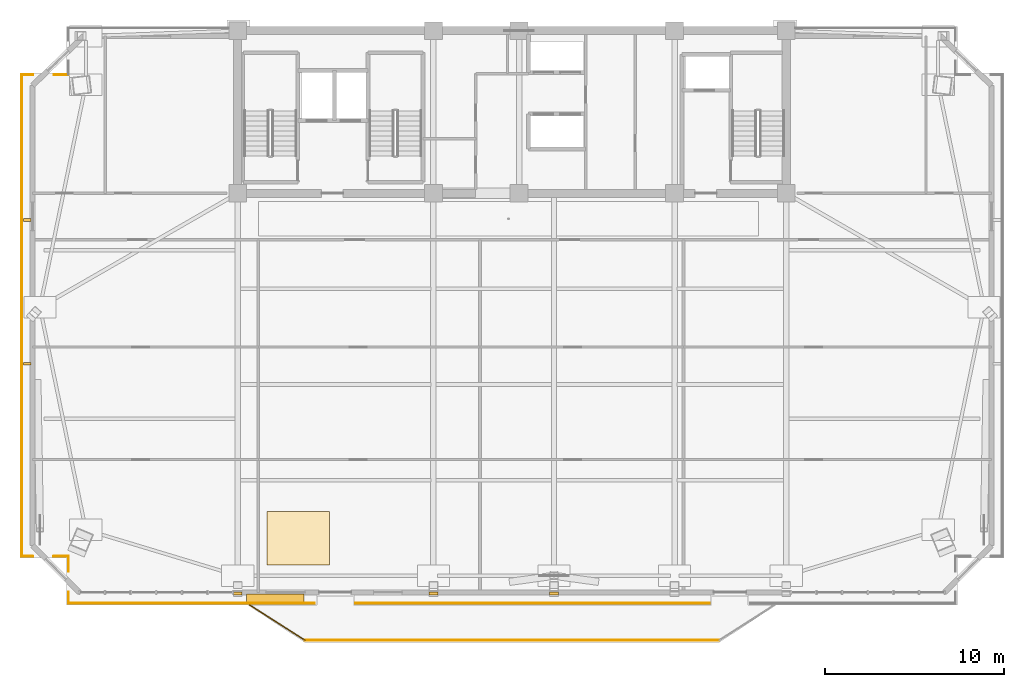
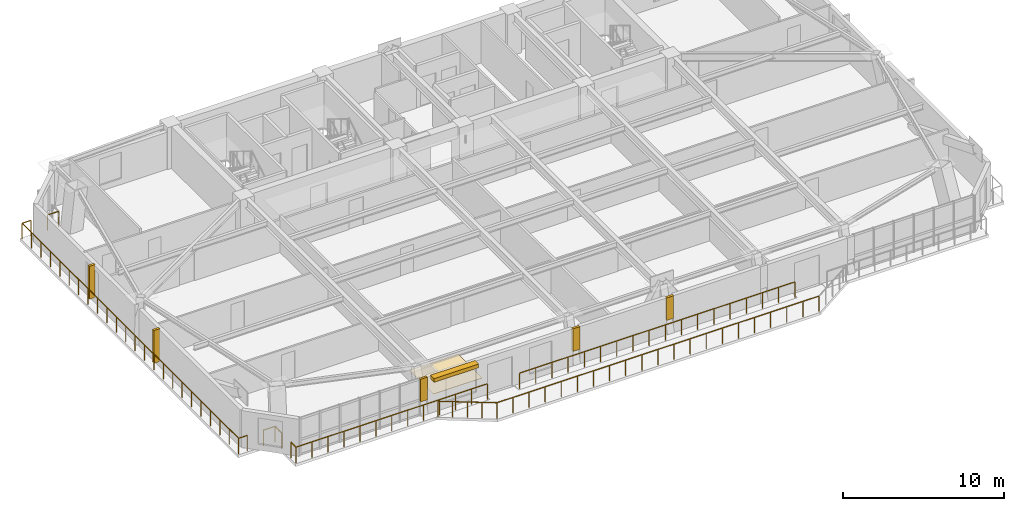
# One storey, part 13 of 16: 11 railings, 4 coverings, 3 shading devices.
"""IFC4 building model written with IfcOpenShell, lengths in metres."""

import ifcopenshell
import ifcopenshell.guid

model = None  # the IFC model being written
_history = None  # IfcOwnerHistory: only IFC2X3 demands one
_inside = {}  # id of a spatial element -> (the spatial element, [elements in it])
_under = {}  # id of a project, library or spatial element -> (it, [spatial elements below it])
_declared = {}  # id of a project -> (the project, [libraries it declares])
_typed = {}  # id of a type object -> (the type object, [elements of that type])
_made_of = {}  # id of a material, layer set ... -> (it, [elements and type objects made of it])


def new_model(schema):
    """Start an empty IFC model of exactly this schema.

    Asked for "IFC4X3", IfcOpenShell would pick the latest addendum, in which some entities
    have other attributes; the version numbers below select the first issue.
    IFC2X3 requires an IfcOwnerHistory on every rooted entity: one is made here for all.
    """
    global model, _history
    if schema == "IFC4X3":
        model = ifcopenshell.file(schema_version=(4, 3, 0, 0))
    else:
        model = ifcopenshell.file(schema=schema)
    _inside.clear()
    _under.clear()
    _declared.clear()
    _typed.clear()
    _made_of.clear()
    _history = None
    if model.schema == "IFC2X3":
        org = make("IfcOrganization", Name="unknown")
        user = make(
            "IfcPersonAndOrganization",
            ThePerson=make("IfcPerson", FamilyName="unknown"),
            TheOrganization=org,
        )
        app = make(
            "IfcApplication",
            ApplicationDeveloper=org,
            Version="unknown",
            ApplicationFullName="unknown",
            ApplicationIdentifier="unknown",
        )
        _history = make(
            "IfcOwnerHistory",
            OwningUser=user,
            OwningApplication=app,
            ChangeAction="ADDED",
            CreationDate=0,
        )
    return model


def make(cls, **values):
    """One entity of the class cls with the attributes given. An attribute that is None is left unset."""
    return model.create_entity(
        cls, **{name: value for name, value in values.items() if value is not None}
    )


def rooted(cls, **values):
    """An entity with a GlobalId (a new one), such as an element, a storey or a relation."""
    return make(cls, GlobalId=ifcopenshell.guid.new(), OwnerHistory=_history, **values)


def si_unit(unit_type, name, prefix=None):
    """IfcSIUnit, for example si_unit("LENGTHUNIT", "METRE", prefix="MILLI")."""
    return make("IfcSIUnit", UnitType=unit_type, Prefix=prefix, Name=name)


def assignment(units):
    """IfcUnitAssignment: the units of a project."""
    return None if units is None else make("IfcUnitAssignment", Units=units)


def point(xyz):
    """IfcCartesianPoint."""
    return None if xyz is None else make("IfcCartesianPoint", Coordinates=xyz)


def direction(xyz):
    """IfcDirection."""
    return None if xyz is None else make("IfcDirection", DirectionRatios=xyz)


def frame(location, z_axis=None, x_axis=None):
    """IfcAxis2Placement3D, a coordinate frame: its origin and axes. An axis left out is left unset."""
    return make(
        "IfcAxis2Placement3D",
        Location=point(location),
        Axis=direction(z_axis),
        RefDirection=direction(x_axis),
    )


def frame_2d(location, x_axis=None):
    """IfcAxis2Placement2D, a coordinate frame in the plane: its origin and x axis."""
    return make(
        "IfcAxis2Placement2D", Location=point(location), RefDirection=direction(x_axis)
    )


def origin():
    """The frame at (0, 0, 0) with its axes left unset."""
    return frame((0.0, 0.0, 0.0))


def origin_2d():
    """The frame at (0, 0) in the plane with its x axis left unset."""
    return frame_2d((0.0, 0.0))


def place(relative_to, where):
    """IfcLocalPlacement: puts the frame where relative to a parent placement (None: the world)."""
    return make(
        "IfcLocalPlacement", PlacementRelTo=relative_to, RelativePlacement=where
    )


def context(
    kind, dimensions, precision=None, world=None, true_north=None, identifier=None
):
    """IfcGeometricRepresentationContext, for example the 3D "Model" context."""
    return make(
        "IfcGeometricRepresentationContext",
        ContextIdentifier=identifier,
        ContextType=kind,
        CoordinateSpaceDimension=dimensions,
        Precision=precision,
        WorldCoordinateSystem=world,
        TrueNorth=true_north,
    )


def subcontext(parent, identifier, kind, view, scale=None):
    """IfcGeometricRepresentationSubContext, for example "Body" below "Model"."""
    return make(
        "IfcGeometricRepresentationSubContext",
        ContextIdentifier=identifier,
        ContextType=kind,
        ParentContext=parent,
        TargetScale=scale,
        TargetView=view,
    )


def project(units=None, contexts=None):
    """IfcProject with its units and contexts."""
    return rooted(
        "IfcProject",
        Name="project",
        RepresentationContexts=contexts,
        UnitsInContext=assignment(units),
    )


def spatial(cls, under=None, at=None, **own):
    """A site, building, storey or space (cls), placed at a placement, below another one or the project."""
    s = rooted(cls, ObjectPlacement=at, **own)
    if under is not None:
        _under.setdefault(under.id(), (under, []))[1].append(s)
    return s


def polyline(points):
    """IfcPolyline through the points."""
    return make("IfcPolyline", Points=[point(p) for p in points])


def profile(cls, at=None, kind="AREA", **sizes):
    """A parametric profile (cls). Its sizes go by their IFC names, for example OverallWidth=200.0."""
    return make(cls, ProfileType=kind, Position=at, **sizes)


def rectangle(**sizes):
    """IfcRectangleProfileDef."""
    return profile("IfcRectangleProfileDef", **sizes)


def outline(outer, holes=None, kind="AREA"):
    """IfcArbitraryClosedProfileDef: a profile drawn as a closed curve; with holes, ...WithVoids."""
    if holes is None:
        return make("IfcArbitraryClosedProfileDef", ProfileType=kind, OuterCurve=outer)
    return make(
        "IfcArbitraryProfileDefWithVoids",
        ProfileType=kind,
        OuterCurve=outer,
        InnerCurves=holes,
    )


def extrude(swept, where, along, depth):
    """IfcExtrudedAreaSolid: the profile swept, set in the frame where, extruded along a direction by depth."""
    return make(
        "IfcExtrudedAreaSolid",
        SweptArea=swept,
        Position=where,
        ExtrudedDirection=direction(along),
        Depth=depth,
    )


def shape(context_of_items, identifier, shape_type, items):
    """IfcShapeRepresentation: the items that make up one representation, for example the "Body"."""
    return make(
        "IfcShapeRepresentation",
        ContextOfItems=context_of_items,
        RepresentationIdentifier=identifier,
        RepresentationType=shape_type,
        Items=items,
    )


def source(mapping_origin, context_of_items, identifier, shape_type, items):
    """IfcRepresentationMap: a shape defined once, which mapped items show again and again."""
    return make(
        "IfcRepresentationMap",
        MappingOrigin=mapping_origin,
        MappedRepresentation=shape(context_of_items, identifier, shape_type, items),
    )


def transform(
    local_origin,
    x_axis=None,
    y_axis=None,
    z_axis=None,
    scale=None,
    scale2=None,
    scale3=None,
    uniform=True,
):
    """IfcCartesianTransformationOperator3D, or its non-uniform kind. x_axis, y_axis, z_axis: its Axis1, 2, 3."""
    if uniform:
        return make(
            "IfcCartesianTransformationOperator3D",
            Axis1=direction(x_axis),
            Axis2=direction(y_axis),
            LocalOrigin=point(local_origin),
            Scale=scale,
            Axis3=direction(z_axis),
        )
    return make(
        "IfcCartesianTransformationOperator3DnonUniform",
        Axis1=direction(x_axis),
        Axis2=direction(y_axis),
        LocalOrigin=point(local_origin),
        Scale=scale,
        Axis3=direction(z_axis),
        Scale2=scale2,
        Scale3=scale3,
    )


def mapped(mapping_source, mapping_target):
    """IfcMappedItem: shows the shape of a source again, moved by a transform."""
    return make(
        "IfcMappedItem", MappingSource=mapping_source, MappingTarget=mapping_target
    )


def material(Name=None, Category=None):
    """IfcMaterial."""
    return make("IfcMaterial", Name=Name, Category=Category)


def layer(
    of_material, thickness, ventilated=None, Name=None, Category=None, Priority=None
):
    """IfcMaterialLayer: one layer of a wall or slab, of a material (None: an air gap)."""
    return make(
        "IfcMaterialLayer",
        Material=of_material,
        LayerThickness=thickness,
        IsVentilated=ventilated,
        Name=Name,
        Category=Category,
        Priority=Priority,
    )


def layer_set(layers, Name=None):
    """IfcMaterialLayerSet."""
    return make("IfcMaterialLayerSet", MaterialLayers=layers, LayerSetName=Name)


def made_of(thing, what):
    """Note that an element or type object is made of a material, layer set ...; save() writes the relation."""
    if what is not None:
        _made_of.setdefault(what.id(), (what, []))[1].append(thing)
    return thing


def type_object(cls, material=None, **own):
    """A type object (cls), such as IfcWallType, which elements share."""
    return made_of(rooted(cls, **own), material)


def element(
    cls,
    number,
    at=None,
    inside=None,
    cuts=None,
    type_object=None,
    material=None,
    context=None,
    identifier="Body",
    shape_type=None,
    held_by="IfcProductDefinitionShape",
    body=None,
    shapes=None,
    **own,
):
    """One element of the class cls, such as IfcWall. Its Tag is "e" and its number.

    at: its placement. inside: the storey or other place that contains it. cuts: it is an
    opening in that element (IfcRelVoidsElement). A single representation is given by context,
    identifier, shape_type and body (its items); several are given by shapes. held_by: the class
    of the entity that holds the representations. save() writes the other relations.
    """
    e = rooted(cls, Tag="e%d" % number, ObjectPlacement=at, **own)
    if body is not None:
        shapes = [shape(context, identifier, shape_type, body)]
    if shapes is not None:
        e.Representation = make(held_by, Representations=shapes)
    if inside is not None:
        _inside.setdefault(inside.id(), (inside, []))[1].append(e)
    if cuts is not None:
        rooted(
            "IfcRelVoidsElement", RelatingBuildingElement=cuts, RelatedOpeningElement=e
        )
    if type_object is not None:
        _typed.setdefault(type_object.id(), (type_object, []))[1].append(e)
    return made_of(e, material)


def aggregate(whole, parts):
    """IfcRelAggregates: a whole, such as a stair, and the parts it consists of."""
    return rooted("IfcRelAggregates", RelatingObject=whole, RelatedObjects=parts)


def save(model, path):
    """Write the relations noted so far, then the file.

    IfcRelAggregates (storeys below a building ...), IfcRelContainedInSpatialStructure (elements
    in a storey), IfcRelDefinesByType, IfcRelAssociatesMaterial and IfcRelDeclares: one each for
    every whole, place, type object, material and project.
    """
    for whole, parts in _under.values():
        aggregate(whole, parts)
    for where, things in _inside.values():
        rooted(
            "IfcRelContainedInSpatialStructure",
            RelatedElements=things,
            RelatingStructure=where,
        )
    for kind, things in _typed.values():
        rooted("IfcRelDefinesByType", RelatedObjects=things, RelatingType=kind)
    for what, things in _made_of.values():
        rooted("IfcRelAssociatesMaterial", RelatedObjects=things, RelatingMaterial=what)
    for by, libraries in _declared.values():
        rooted("IfcRelDeclares", RelatingContext=by, RelatedDefinitions=libraries)
    model.write(path)


model = new_model("IFC4")

# Units and contexts
model_context = context("Model", 3, precision=1e-05, world=origin(), true_north=direction((0.0, 1.0)))
body_context = subcontext(model_context, "Body", "Model", "MODEL_VIEW")
ifc_project = project(units=[si_unit("LENGTHUNIT", "METRE"), si_unit("AREAUNIT", "SQUARE_METRE"), si_unit("VOLUMEUNIT", "CUBIC_METRE"), si_unit("PLANEANGLEUNIT", "RADIAN"), si_unit("MASSUNIT", "GRAM", prefix="KILO")], contexts=[model_context])

# Site, building, storey
site_placement = place(None, origin())
site = spatial("IfcSite", under=ifc_project, at=site_placement, CompositionType="ELEMENT")
building_placement = place(site_placement, origin())
building = spatial("IfcBuilding", under=site, at=building_placement, Name="Giltprow Tower", CompositionType="ELEMENT")
storey_placement = place(building_placement, frame((0.0, 0.0, 255.300048828125)))
storey = spatial("IfcBuildingStorey", under=building, at=storey_placement, Name="L65", CompositionType="ELEMENT", Elevation=255.300048828125)

# Coverings
ifc_material_1 = material(Name="Engineered oak", Category="wood")
ifc_layer_1 = layer(ifc_material_1, 0.02490234375, Name="Engineered oak")
ifc_layer_set_1 = layer_set([ifc_layer_1], Name="Engineered oak")
covering_type_1 = type_object("IfcCoveringType", Name="COV-FLR-TIMBER", PredefinedType="FLOORING", material=ifc_layer_set_1)
covering_1_placement = place(storey_placement, origin())
element("IfcCovering", 1, at=covering_1_placement, inside=storey, type_object=covering_type_1, Name="L65 Residence Oak Parquet Flooring", PredefinedType="FLOORING", context=body_context, shape_type="SweptSolid", body=[
    extrude(outline(polyline([(21.5, 16.64501953125), (25.0, 16.64501953125), (25.0, 19.64501953125), (21.5, 19.64501953125), (21.5, 16.64501953125)])), origin(), (0.0, 0.0, 1.0), 0.02490234375),
])
ifc_material_2 = material(Name="Anodized bronze", Category="metal")
ifc_layer_2 = layer(ifc_material_2, 0.0400390625, Name="Anodized bronze")
ifc_layer_set_2 = layer_set([ifc_layer_2], Name="Anodized bronze")
covering_type_2 = type_object("IfcCoveringType", Name="COV-SOFFIT-BRONZE", PredefinedType="CLADDING", material=ifc_layer_set_2)
covering_2_placement = place(storey_placement, frame((0.0, 0.0, 1.099853515625)))
element("IfcCovering", 2, at=covering_2_placement, inside=storey, type_object=covering_type_2, Name="L65 Setback Pier Closure Cladding S-1", PredefinedType="CLADDING", context=body_context, shape_type="SweptSolid", body=[
    extrude(outline(polyline([(19.60009765625, 14.972900390625), (20.10009765625, 14.972900390625), (20.10009765625, 15.133056640625), (19.60009765625, 15.133056640625), (19.60009765625, 14.972900390625)])), origin(), (0.0, 0.0, 1.0), 1.715087890625),
])
covering_3_placement = place(storey_placement, frame((0.0, 0.0, 1.099853515625)))
element("IfcCovering", 3, at=covering_3_placement, inside=storey, type_object=covering_type_2, Name="L65 Setback Pier Closure Cladding S-2", PredefinedType="CLADDING", context=body_context, shape_type="SweptSolid", body=[
    extrude(outline(polyline([(30.550048828125, 14.972900390625), (31.050048828125, 14.972900390625), (31.050048828125, 15.133056640625), (30.550048828125, 15.133056640625), (30.550048828125, 14.972900390625)])), origin(), (0.0, 0.0, 1.0), 1.715087890625),
])
covering_4_placement = place(storey_placement, frame((0.0, 0.0, 1.099853515625)))
element("IfcCovering", 4, at=covering_4_placement, inside=storey, type_object=covering_type_2, Name="L65 Setback Pier Closure Cladding S-3", PredefinedType="CLADDING", context=body_context, shape_type="SweptSolid", body=[
    extrude(outline(polyline([(37.300048828125, 14.972900390625), (37.800048828125, 14.972900390625), (37.800048828125, 15.133056640625), (37.300048828125, 15.133056640625), (37.300048828125, 14.972900390625)])), origin(), (0.0, 0.0, 1.0), 1.715087890625),
])

# Railings
railing_type = type_object("IfcRailingType", Name="RAIL-BALC-GUARD-1200", PredefinedType="BALUSTRADE", material=ifc_material_2)
railing_1_placement = place(storey_placement, frame((20.52001953125, 14.4130859375, 0.0)))
element("IfcRailing", 5, at=railing_1_placement, inside=storey, type_object=railing_type, Name="L65 Waterfront Balcony Balustrade Seg 1", PredefinedType="BALUSTRADE", context=body_context, shape_type="SweptSolid", body=[
    extrude(rectangle(XDim=0.048095703125, YDim=0.048095703125, at=origin_2d()), frame((0.0, 0.0, 1.17578125), z_axis=(0.84277487735, -0.538266203757, 0.0), x_axis=(0.538266203757, 0.84277487735, 0.0)), (0.0, 0.0, 1.0), 3.678466796875),
    extrude(rectangle(XDim=0.0419921875, YDim=0.0419921875, at=origin_2d()), origin(), (0.0, 0.0, 1.0), 1.15185546875),
    extrude(rectangle(XDim=0.0419921875, YDim=0.0419921875, at=origin_2d()), frame((0.77490234375, -0.4951171875, 0.0)), (0.0, 0.0, 1.0), 1.15185546875),
    extrude(rectangle(XDim=0.0419921875, YDim=0.0419921875, at=origin_2d()), frame((1.550048828125, -0.989990234375, 0.0)), (0.0, 0.0, 1.0), 1.15185546875),
    extrude(rectangle(XDim=0.0419921875, YDim=0.0419921875, at=origin_2d()), frame((2.3251953125, -1.48486328125, 0.0)), (0.0, 0.0, 1.0), 1.15185546875),
    extrude(rectangle(XDim=0.0419921875, YDim=0.0419921875, at=origin_2d()), frame((3.10009765625, -1.97998046875, 0.0)), (0.0, 0.0, 1.0), 1.15185546875),
])
railing_2_placement = place(storey_placement, frame((23.6201171875, 12.43310546875, 0.0)))
element("IfcRailing", 6, at=railing_2_placement, inside=storey, type_object=railing_type, Name="L65 Waterfront Balcony Balustrade Seg 2", PredefinedType="BALUSTRADE", context=body_context, shape_type="SweptSolid", body=[
    extrude(rectangle(XDim=0.048095703125, YDim=0.048095703125, at=origin_2d()), frame((0.0, 0.0, 1.17578125), z_axis=(1.0, 0.0, 0.0), x_axis=(0.0, 1.0, 0.0)), (0.0, 0.0, 1.0), 23.159912109375),
    extrude(rectangle(XDim=0.0419921875, YDim=0.0419921875, at=origin_2d()), origin(), (0.0, 0.0, 1.0), 1.15185546875),
    extrude(rectangle(XDim=0.0419921875, YDim=0.0419921875, at=origin_2d()), frame((1.157958984375, 0.0, 0.0)), (0.0, 0.0, 1.0), 1.15185546875),
    extrude(rectangle(XDim=0.0419921875, YDim=0.0419921875, at=origin_2d()), frame((2.31591796875, 0.0, 0.0)), (0.0, 0.0, 1.0), 1.15185546875),
    extrude(rectangle(XDim=0.0419921875, YDim=0.0419921875, at=origin_2d()), frame((3.473876953125, 0.0, 0.0)), (0.0, 0.0, 1.0), 1.15185546875),
    extrude(rectangle(XDim=0.0419921875, YDim=0.0419921875, at=origin_2d()), frame((4.632080078125, 0.0, 0.0)), (0.0, 0.0, 1.0), 1.15185546875),
    extrude(rectangle(XDim=0.0419921875, YDim=0.0419921875, at=origin_2d()), frame((5.7900390625, 0.0, 0.0)), (0.0, 0.0, 1.0), 1.15185546875),
    extrude(rectangle(XDim=0.0419921875, YDim=0.0419921875, at=origin_2d()), frame((6.947998046875, 0.0, 0.0)), (0.0, 0.0, 1.0), 1.15185546875),
    extrude(rectangle(XDim=0.0419921875, YDim=0.0419921875, at=origin_2d()), frame((8.10595703125, 0.0, 0.0)), (0.0, 0.0, 1.0), 1.15185546875),
    extrude(rectangle(XDim=0.0419921875, YDim=0.0419921875, at=origin_2d()), frame((9.263916015625, 0.0, 0.0)), (0.0, 0.0, 1.0), 1.15185546875),
    extrude(rectangle(XDim=0.0419921875, YDim=0.0419921875, at=origin_2d()), frame((10.421875, 0.0, 0.0)), (0.0, 0.0, 1.0), 1.15185546875),
    extrude(rectangle(XDim=0.0419921875, YDim=0.0419921875, at=origin_2d()), frame((11.580078125, 0.0, 0.0)), (0.0, 0.0, 1.0), 1.15185546875),
    extrude(rectangle(XDim=0.0419921875, YDim=0.0419921875, at=origin_2d()), frame((12.738037109375, 0.0, 0.0)), (0.0, 0.0, 1.0), 1.15185546875),
    extrude(rectangle(XDim=0.0419921875, YDim=0.0419921875, at=origin_2d()), frame((13.89599609375, 0.0, 0.0)), (0.0, 0.0, 1.0), 1.15185546875),
    extrude(rectangle(XDim=0.0419921875, YDim=0.0419921875, at=origin_2d()), frame((15.053955078125, 0.0, 0.0)), (0.0, 0.0, 1.0), 1.15185546875),
    extrude(rectangle(XDim=0.0419921875, YDim=0.0419921875, at=origin_2d()), frame((16.2119140625, 0.0, 0.0)), (0.0, 0.0, 1.0), 1.15185546875),
    extrude(rectangle(XDim=0.0419921875, YDim=0.0419921875, at=origin_2d()), frame((17.369873046875, 0.0, 0.0)), (0.0, 0.0, 1.0), 1.15185546875),
    extrude(rectangle(XDim=0.0419921875, YDim=0.0419921875, at=origin_2d()), frame((18.52783203125, 0.0, 0.0)), (0.0, 0.0, 1.0), 1.15185546875),
    extrude(rectangle(XDim=0.0419921875, YDim=0.0419921875, at=origin_2d()), frame((19.68603515625, 0.0, 0.0)), (0.0, 0.0, 1.0), 1.15185546875),
    extrude(rectangle(XDim=0.0419921875, YDim=0.0419921875, at=origin_2d()), frame((20.843994140625, 0.0, 0.0)), (0.0, 0.0, 1.0), 1.15185546875),
    extrude(rectangle(XDim=0.0419921875, YDim=0.0419921875, at=origin_2d()), frame((22.001953125, 0.0, 0.0)), (0.0, 0.0, 1.0), 1.15185546875),
    extrude(rectangle(XDim=0.0419921875, YDim=0.0419921875, at=origin_2d()), frame((23.159912109375, 0.0, 0.0)), (0.0, 0.0, 1.0), 1.15185546875),
])
railing_3_placement = place(storey_placement, frame((46.25, 14.512939453125, 0.0)))
element("IfcRailing", 7, at=railing_3_placement, inside=storey, type_object=railing_type, Name="L65 Corner Apron Edge Balustrade 7", PredefinedType="BALUSTRADE", context=body_context, shape_type="SweptSolid", body=[
    extrude(rectangle(XDim=0.048095703125, YDim=0.048095703125, at=origin_2d()), frame((0.0, 0.0, 1.17578125), z_axis=(-1.0, 0.0, 0.0), x_axis=(0.0, -1.0, 0.0)), (0.0, 0.0, 1.0), 19.800048828125),
    extrude(rectangle(XDim=0.0419921875, YDim=0.0419921875, at=origin_2d()), origin(), (0.0, 0.0, 1.0), 1.15185546875),
    extrude(rectangle(XDim=0.0419921875, YDim=0.0419921875, at=origin_2d()), frame((-1.164794921875, 0.0, 0.0)), (0.0, 0.0, 1.0), 1.15185546875),
    extrude(rectangle(XDim=0.0419921875, YDim=0.0419921875, at=origin_2d()), frame((-2.329345703125, 0.0, 0.0)), (0.0, 0.0, 1.0), 1.15185546875),
    extrude(rectangle(XDim=0.0419921875, YDim=0.0419921875, at=origin_2d()), frame((-3.494140625, 0.0, 0.0)), (0.0, 0.0, 1.0), 1.15185546875),
    extrude(rectangle(XDim=0.0419921875, YDim=0.0419921875, at=origin_2d()), frame((-4.658935546875, 0.0, 0.0)), (0.0, 0.0, 1.0), 1.15185546875),
    extrude(rectangle(XDim=0.0419921875, YDim=0.0419921875, at=origin_2d()), frame((-5.823486328125, 0.0, 0.0)), (0.0, 0.0, 1.0), 1.15185546875),
    extrude(rectangle(XDim=0.0419921875, YDim=0.0419921875, at=origin_2d()), frame((-6.98828125, 0.0, 0.0)), (0.0, 0.0, 1.0), 1.15185546875),
    extrude(rectangle(XDim=0.0419921875, YDim=0.0419921875, at=origin_2d()), frame((-8.153076171875, 0.0, 0.0)), (0.0, 0.0, 1.0), 1.15185546875),
    extrude(rectangle(XDim=0.0419921875, YDim=0.0419921875, at=origin_2d()), frame((-9.317626953125, 0.0, 0.0)), (0.0, 0.0, 1.0), 1.15185546875),
    extrude(rectangle(XDim=0.0419921875, YDim=0.0419921875, at=origin_2d()), frame((-10.482421875, 0.0, 0.0)), (0.0, 0.0, 1.0), 1.15185546875),
    extrude(rectangle(XDim=0.0419921875, YDim=0.0419921875, at=origin_2d()), frame((-11.64697265625, 0.0, 0.0)), (0.0, 0.0, 1.0), 1.15185546875),
    extrude(rectangle(XDim=0.0419921875, YDim=0.0419921875, at=origin_2d()), frame((-12.811767578125, 0.0, 0.0)), (0.0, 0.0, 1.0), 1.15185546875),
    extrude(rectangle(XDim=0.0419921875, YDim=0.0419921875, at=origin_2d()), frame((-13.9765625, 0.0, 0.0)), (0.0, 0.0, 1.0), 1.15185546875),
    extrude(rectangle(XDim=0.0419921875, YDim=0.0419921875, at=origin_2d()), frame((-15.14111328125, 0.0, 0.0)), (0.0, 0.0, 1.0), 1.15185546875),
    extrude(rectangle(XDim=0.0419921875, YDim=0.0419921875, at=origin_2d()), frame((-16.305908203125, 0.0, 0.0)), (0.0, 0.0, 1.0), 1.15185546875),
    extrude(rectangle(XDim=0.0419921875, YDim=0.0419921875, at=origin_2d()), frame((-17.470703125, 0.0, 0.0)), (0.0, 0.0, 1.0), 1.15185546875),
    extrude(rectangle(XDim=0.0419921875, YDim=0.0419921875, at=origin_2d()), frame((-18.63525390625, 0.0, 0.0)), (0.0, 0.0, 1.0), 1.15185546875),
    extrude(rectangle(XDim=0.0419921875, YDim=0.0419921875, at=origin_2d()), frame((-19.800048828125, 0.0, 0.0)), (0.0, 0.0, 1.0), 1.15185546875),
])
railing_4_placement = place(storey_placement, frame((24.14990234375, 14.512939453125, 0.0)))
element("IfcRailing", 8, at=railing_4_placement, inside=storey, type_object=railing_type, Name="L65 Corner Apron Edge Balustrade 8", PredefinedType="BALUSTRADE", context=body_context, shape_type="SweptSolid", body=[
    extrude(rectangle(XDim=0.048095703125, YDim=0.048095703125, at=origin_2d()), frame((0.0, 0.0, 1.17578125), z_axis=(-1.0, 0.0, 0.0), x_axis=(0.0, -1.0, 0.0)), (0.0, 0.0, 1.0), 13.77099609375),
    extrude(rectangle(XDim=0.0419921875, YDim=0.0419921875, at=origin_2d()), origin(), (0.0, 0.0, 1.0), 1.15185546875),
    extrude(rectangle(XDim=0.0419921875, YDim=0.0419921875, at=origin_2d()), frame((-1.1474609375, 0.0, 0.0)), (0.0, 0.0, 1.0), 1.15185546875),
    extrude(rectangle(XDim=0.0419921875, YDim=0.0419921875, at=origin_2d()), frame((-2.295166015625, 0.0, 0.0)), (0.0, 0.0, 1.0), 1.15185546875),
    extrude(rectangle(XDim=0.0419921875, YDim=0.0419921875, at=origin_2d()), frame((-3.44287109375, 0.0, 0.0)), (0.0, 0.0, 1.0), 1.15185546875),
    extrude(rectangle(XDim=0.0419921875, YDim=0.0419921875, at=origin_2d()), frame((-4.59033203125, 0.0, 0.0)), (0.0, 0.0, 1.0), 1.15185546875),
    extrude(rectangle(XDim=0.0419921875, YDim=0.0419921875, at=origin_2d()), frame((-5.73779296875, 0.0, 0.0)), (0.0, 0.0, 1.0), 1.15185546875),
    extrude(rectangle(XDim=0.0419921875, YDim=0.0419921875, at=origin_2d()), frame((-6.885498046875, 0.0, 0.0)), (0.0, 0.0, 1.0), 1.15185546875),
    extrude(rectangle(XDim=0.0419921875, YDim=0.0419921875, at=origin_2d()), frame((-8.033203125, 0.0, 0.0)), (0.0, 0.0, 1.0), 1.15185546875),
    extrude(rectangle(XDim=0.0419921875, YDim=0.0419921875, at=origin_2d()), frame((-9.1806640625, 0.0, 0.0)), (0.0, 0.0, 1.0), 1.15185546875),
    extrude(rectangle(XDim=0.0419921875, YDim=0.0419921875, at=origin_2d()), frame((-10.328125, 0.0, 0.0)), (0.0, 0.0, 1.0), 1.15185546875),
    extrude(rectangle(XDim=0.0419921875, YDim=0.0419921875, at=origin_2d()), frame((-11.475830078125, 0.0, 0.0)), (0.0, 0.0, 1.0), 1.15185546875),
    extrude(rectangle(XDim=0.0419921875, YDim=0.0419921875, at=origin_2d()), frame((-12.62353515625, 0.0, 0.0)), (0.0, 0.0, 1.0), 1.15185546875),
    extrude(rectangle(XDim=0.0419921875, YDim=0.0419921875, at=origin_2d()), frame((-13.77099609375, 0.0, 0.0)), (0.0, 0.0, 1.0), 1.15185546875),
])
railing_5_placement = place(storey_placement, frame((10.37890625, 14.512939453125, 0.0)))
element("IfcRailing", 9, at=railing_5_placement, inside=storey, type_object=railing_type, Name="L65 Corner Apron Edge Balustrade 9", PredefinedType="BALUSTRADE", context=body_context, shape_type="SweptSolid", body=[
    extrude(rectangle(XDim=0.048095703125, YDim=0.048095703125, at=origin_2d()), frame((0.0, 0.0, 1.17578125), z_axis=(0.0, 1.0, 0.0), x_axis=(-1.0, 0.0, 0.0)), (0.0, 0.0, 1.0), 0.6201171875),
    extrude(rectangle(XDim=0.0419921875, YDim=0.0419921875, at=origin_2d()), origin(), (0.0, 0.0, 1.0), 1.15185546875),
    extrude(rectangle(XDim=0.0419921875, YDim=0.0419921875, at=origin_2d()), frame((0.0, 0.6201171875, 0.0)), (0.0, 0.0, 1.0), 1.15185546875),
])
railing_6_placement = place(storey_placement, frame((10.37890625, 16.29296875, 0.0)))
element("IfcRailing", 10, at=railing_6_placement, inside=storey, type_object=railing_type, Name="L65 Corner Apron Edge Balustrade 10", PredefinedType="BALUSTRADE", context=body_context, shape_type="SweptSolid", body=[
    extrude(rectangle(XDim=0.048095703125, YDim=0.048095703125, at=origin_2d()), frame((0.0, 0.0, 1.17578125), z_axis=(0.0, 1.0, 0.0), x_axis=(-1.0, 0.0, 0.0)), (0.0, 0.0, 1.0), 0.8349609375),
    extrude(rectangle(XDim=0.0419921875, YDim=0.0419921875, at=origin_2d()), origin(), (0.0, 0.0, 1.0), 1.15185546875),
    extrude(rectangle(XDim=0.0419921875, YDim=0.0419921875, at=origin_2d()), frame((0.0, 0.8349609375, 0.0)), (0.0, 0.0, 1.0), 1.15185546875),
])
railing_7_placement = place(storey_placement, frame((10.37890625, 17.1279296875, 0.0)))
element("IfcRailing", 11, at=railing_7_placement, inside=storey, type_object=railing_type, Name="L65 Corner Apron Edge Balustrade 11", PredefinedType="BALUSTRADE", context=body_context, shape_type="SweptSolid", body=[
    extrude(rectangle(XDim=0.048095703125, YDim=0.048095703125, at=origin_2d()), frame((0.0, 0.0, 1.17578125), z_axis=(-1.0, 0.0, 0.0), x_axis=(0.0, -1.0, 0.0)), (0.0, 0.0, 1.0), 0.8349609375),
    extrude(rectangle(XDim=0.0419921875, YDim=0.0419921875, at=origin_2d()), origin(), (0.0, 0.0, 1.0), 1.15185546875),
    extrude(rectangle(XDim=0.0419921875, YDim=0.0419921875, at=origin_2d()), frame((-0.8349609375, 0.0, 0.0)), (0.0, 0.0, 1.0), 1.15185546875),
])
railing_8_placement = place(storey_placement, frame((8.384033203125, 17.1279296875, 0.0)))
element("IfcRailing", 12, at=railing_8_placement, inside=storey, type_object=railing_type, Name="L65 Corner Apron Edge Balustrade 12", PredefinedType="BALUSTRADE", context=body_context, shape_type="SweptSolid", body=[
    extrude(rectangle(XDim=0.048095703125, YDim=0.048095703125, at=origin_2d()), frame((0.0, 0.0, 1.17578125), z_axis=(-1.0, 0.0, 0.0), x_axis=(0.0, -1.0, 0.0)), (0.0, 0.0, 1.0), 0.6201171875),
    extrude(rectangle(XDim=0.0419921875, YDim=0.0419921875, at=origin_2d()), origin(), (0.0, 0.0, 1.0), 1.15185546875),
    extrude(rectangle(XDim=0.0419921875, YDim=0.0419921875, at=origin_2d()), frame((-0.6201171875, 0.0, 0.0)), (0.0, 0.0, 1.0), 1.15185546875),
])
railing_9_placement = place(storey_placement, frame((7.763916015625, 17.1279296875, 0.0)))
element("IfcRailing", 13, at=railing_9_placement, inside=storey, type_object=railing_type, Name="L65 Corner Apron Edge Balustrade 13", PredefinedType="BALUSTRADE", context=body_context, shape_type="SweptSolid", body=[
    extrude(rectangle(XDim=0.048095703125, YDim=0.048095703125, at=origin_2d()), frame((0.0, 0.0, 1.17578125), z_axis=(0.0, 1.0, 0.0), x_axis=(-1.0, 0.0, 0.0)), (0.0, 0.0, 1.0), 26.9560546875),
    extrude(rectangle(XDim=0.0419921875, YDim=0.0419921875, at=origin_2d()), origin(), (0.0, 0.0, 1.0), 1.15185546875),
    extrude(rectangle(XDim=0.0419921875, YDim=0.0419921875, at=origin_2d()), frame((0.0, 1.172119140625, 0.0)), (0.0, 0.0, 1.0), 1.15185546875),
    extrude(rectangle(XDim=0.0419921875, YDim=0.0419921875, at=origin_2d()), frame((0.0, 2.343994140625, 0.0)), (0.0, 0.0, 1.0), 1.15185546875),
    extrude(rectangle(XDim=0.0419921875, YDim=0.0419921875, at=origin_2d()), frame((0.0, 3.51611328125, 0.0)), (0.0, 0.0, 1.0), 1.15185546875),
    extrude(rectangle(XDim=0.0419921875, YDim=0.0419921875, at=origin_2d()), frame((0.0, 4.68798828125, 0.0)), (0.0, 0.0, 1.0), 1.15185546875),
    extrude(rectangle(XDim=0.0419921875, YDim=0.0419921875, at=origin_2d()), frame((0.0, 5.860107421875, 0.0)), (0.0, 0.0, 1.0), 1.15185546875),
    extrude(rectangle(XDim=0.0419921875, YDim=0.0419921875, at=origin_2d()), frame((0.0, 7.031982421875, 0.0)), (0.0, 0.0, 1.0), 1.15185546875),
    extrude(rectangle(XDim=0.0419921875, YDim=0.0419921875, at=origin_2d()), frame((0.0, 8.2041015625, 0.0)), (0.0, 0.0, 1.0), 1.15185546875),
    extrude(rectangle(XDim=0.0419921875, YDim=0.0419921875, at=origin_2d()), frame((0.0, 9.3759765625, 0.0)), (0.0, 0.0, 1.0), 1.15185546875),
    extrude(rectangle(XDim=0.0419921875, YDim=0.0419921875, at=origin_2d()), frame((0.0, 10.548095703125, 0.0)), (0.0, 0.0, 1.0), 1.15185546875),
    extrude(rectangle(XDim=0.0419921875, YDim=0.0419921875, at=origin_2d()), frame((0.0, 11.719970703125, 0.0)), (0.0, 0.0, 1.0), 1.15185546875),
    extrude(rectangle(XDim=0.0419921875, YDim=0.0419921875, at=origin_2d()), frame((0.0, 12.89208984375, 0.0)), (0.0, 0.0, 1.0), 1.15185546875),
    extrude(rectangle(XDim=0.0419921875, YDim=0.0419921875, at=origin_2d()), frame((0.0, 14.06396484375, 0.0)), (0.0, 0.0, 1.0), 1.15185546875),
    extrude(rectangle(XDim=0.0419921875, YDim=0.0419921875, at=origin_2d()), frame((0.0, 15.236083984375, 0.0)), (0.0, 0.0, 1.0), 1.15185546875),
    extrude(rectangle(XDim=0.0419921875, YDim=0.0419921875, at=origin_2d()), frame((0.0, 16.407958984375, 0.0)), (0.0, 0.0, 1.0), 1.15185546875),
    extrude(rectangle(XDim=0.0419921875, YDim=0.0419921875, at=origin_2d()), frame((0.0, 17.580078125, 0.0)), (0.0, 0.0, 1.0), 1.15185546875),
    extrude(rectangle(XDim=0.0419921875, YDim=0.0419921875, at=origin_2d()), frame((0.0, 18.751953125, 0.0)), (0.0, 0.0, 1.0), 1.15185546875),
    extrude(rectangle(XDim=0.0419921875, YDim=0.0419921875, at=origin_2d()), frame((0.0, 19.924072265625, 0.0)), (0.0, 0.0, 1.0), 1.15185546875),
    extrude(rectangle(XDim=0.0419921875, YDim=0.0419921875, at=origin_2d()), frame((0.0, 21.095947265625, 0.0)), (0.0, 0.0, 1.0), 1.15185546875),
    extrude(rectangle(XDim=0.0419921875, YDim=0.0419921875, at=origin_2d()), frame((0.0, 22.26806640625, 0.0)), (0.0, 0.0, 1.0), 1.15185546875),
    extrude(rectangle(XDim=0.0419921875, YDim=0.0419921875, at=origin_2d()), frame((0.0, 23.43994140625, 0.0)), (0.0, 0.0, 1.0), 1.15185546875),
    extrude(rectangle(XDim=0.0419921875, YDim=0.0419921875, at=origin_2d()), frame((0.0, 24.612060546875, 0.0)), (0.0, 0.0, 1.0), 1.15185546875),
    extrude(rectangle(XDim=0.0419921875, YDim=0.0419921875, at=origin_2d()), frame((0.0, 25.783935546875, 0.0)), (0.0, 0.0, 1.0), 1.15185546875),
    extrude(rectangle(XDim=0.0419921875, YDim=0.0419921875, at=origin_2d()), frame((0.0, 26.9560546875, 0.0)), (0.0, 0.0, 1.0), 1.15185546875),
])
railing_10_placement = place(storey_placement, frame((7.763916015625, 44.083984375, 0.0)))
element("IfcRailing", 14, at=railing_10_placement, inside=storey, type_object=railing_type, Name="L65 Corner Apron Edge Balustrade 14", PredefinedType="BALUSTRADE", context=body_context, shape_type="SweptSolid", body=[
    extrude(rectangle(XDim=0.048095703125, YDim=0.048095703125, at=origin_2d()), frame((0.0, 0.0, 1.17578125), z_axis=(1.0, 0.0, 0.0), x_axis=(0.0, 1.0, 0.0)), (0.0, 0.0, 1.0), 0.630126953125),
    extrude(rectangle(XDim=0.0419921875, YDim=0.0419921875, at=origin_2d()), origin(), (0.0, 0.0, 1.0), 1.15185546875),
    extrude(rectangle(XDim=0.0419921875, YDim=0.0419921875, at=origin_2d()), frame((0.630126953125, 0.0, 0.0)), (0.0, 0.0, 1.0), 1.15185546875),
])
railing_11_placement = place(storey_placement, frame((9.574951171875, 44.083984375, 0.0)))
element("IfcRailing", 15, at=railing_11_placement, inside=storey, type_object=railing_type, Name="L65 Corner Apron Edge Balustrade 15", PredefinedType="BALUSTRADE", context=body_context, shape_type="SweptSolid", body=[
    extrude(rectangle(XDim=0.048095703125, YDim=0.048095703125, at=origin_2d()), frame((0.0, 0.0, 1.17578125), z_axis=(1.0, 0.0, 0.0), x_axis=(0.0, 1.0, 0.0)), (0.0, 0.0, 1.0), 0.803955078125),
    extrude(rectangle(XDim=0.0419921875, YDim=0.0419921875, at=origin_2d()), origin(), (0.0, 0.0, 1.0), 1.15185546875),
    extrude(rectangle(XDim=0.0419921875, YDim=0.0419921875, at=origin_2d()), frame((0.803955078125, 0.0, 0.0)), (0.0, 0.0, 1.0), 1.15185546875),
])

# Shading devices
shading_device_type_1 = type_object("IfcShadingDeviceType", Name="SHD-FIN-420", PredefinedType="USERDEFINED", material=ifc_material_2)
shared_shape_1 = source(origin(), body_context, "Body", "SweptSolid", [
    extrude(rectangle(XDim=0.419921875, YDim=0.159912109375, at=origin_2d()), origin(), (0.0, 0.0, 1.0), 2.5),
])
for number, where, z_axis, x_axis, name in (
    (16, (8.06396484375, 27.909912109375, 0.349853515625), (0.0, 0.0, 1.0), (1.0, 0.0, 0.0), "L65 W Bronze Vertical Fin 1-1"),
    (17, (8.06396484375, 35.950927734375, 0.349853515625), (0.0, 0.0, 1.0), (1.0, 0.0, 0.0), "L65 W Bronze Vertical Fin 2-1"),
):
    element("IfcShadingDevice", number, at=place(storey_placement, frame(where, z_axis=z_axis, x_axis=x_axis)), inside=storey, type_object=shading_device_type_1, Name=name, ObjectType="FIN", PredefinedType="USERDEFINED", context=body_context, shape_type="MappedRepresentation", body=[
        mapped(shared_shape_1, transform((0.0, 0.0, 0.0), x_axis=(1.0, 0.0, 0.0), y_axis=(0.0, 1.0, 0.0), z_axis=(0.0, 0.0, 1.0), scale=1.0)),
    ])
shading_device_type_2 = type_object("IfcShadingDeviceType", Name="SHD-LOUVRE-320", PredefinedType="JALOUSIE", material=ifc_material_2)
shared_shape_2 = source(origin(), body_context, "Body", "SweptSolid", [
    extrude(rectangle(XDim=3.199951171875, YDim=0.449951171875, at=origin_2d()), origin(), (0.0, 0.0, 1.0), 0.280029296875),
])
shading_device_placement = place(storey_placement, frame((21.949951171875, 14.81298828125, 2.56005859375), z_axis=(0.0, 0.0, 1.0), x_axis=(1.0, 0.0, 0.0)))
element("IfcShadingDevice", 18, at=shading_device_placement, inside=storey, type_object=shading_device_type_2, Name="L65 Bronze Sunshade Louvre S-2", PredefinedType="JALOUSIE", context=body_context, shape_type="MappedRepresentation", body=[
    mapped(shared_shape_2, transform((0.0, 0.0, 0.0), x_axis=(1.0, 0.0, 0.0), y_axis=(0.0, 1.0, 0.0), z_axis=(0.0, 0.0, 1.0), scale=1.0)),
])

save(model, "model.ifc")
